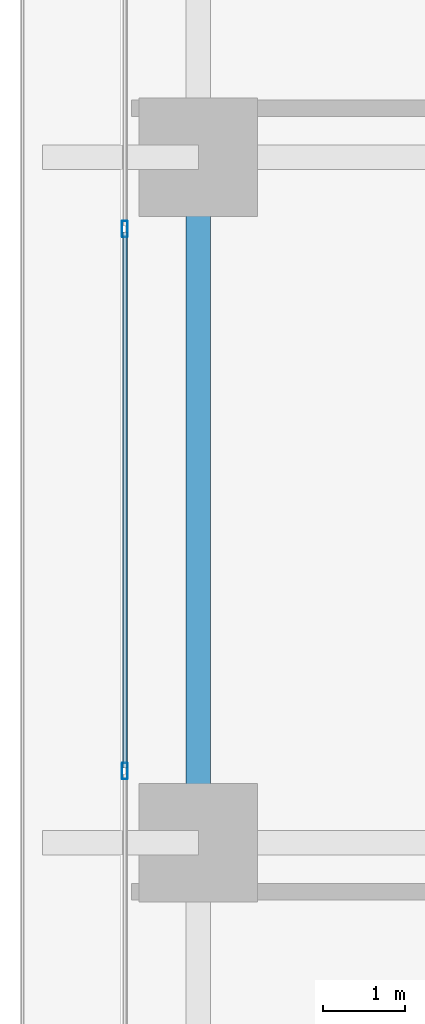
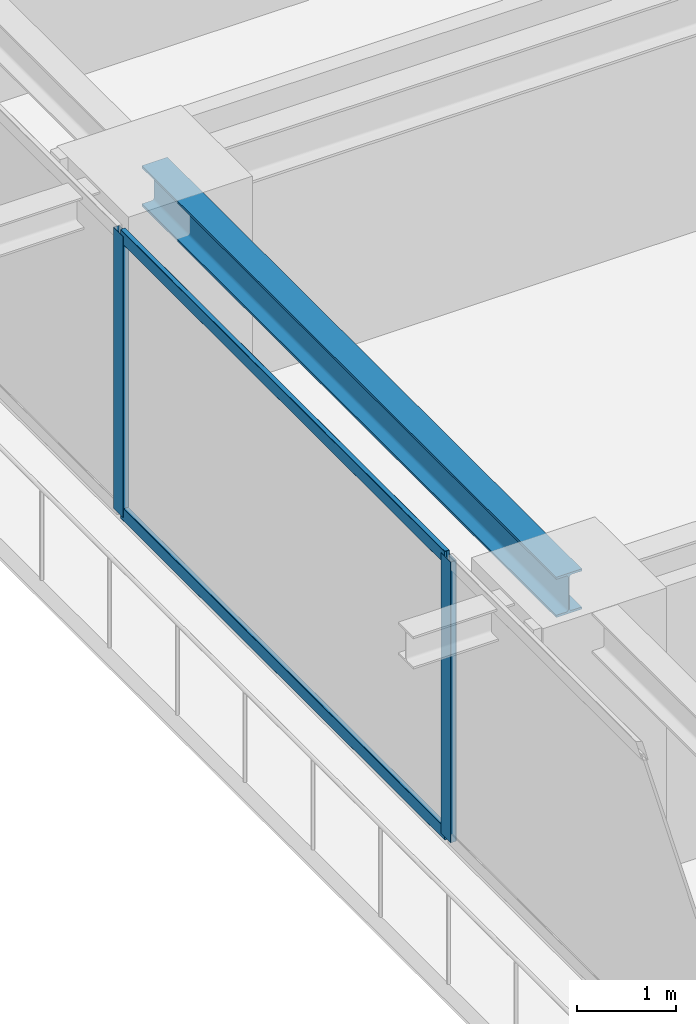
# One storey, part 9 of 39: 4 members, 1 beam, 1 element without a shape of its own.
"""IFC4 building model written with IfcOpenShell, lengths in metres."""

from ifc_helpers import new_model, si_unit, direction, frame, origin, origin_2d, place, context, subcontext, project, spatial, hollow_rectangle, i_section, extrude, source, transform, mapped, material, layer, layer_set, material_profile, profile_set, type_object, element, aggregate, save


model = new_model("IFC4")

# Units and contexts
model_context = context("Model", 3, precision=1e-05, world=origin(), true_north=direction((0.0, 1.0)))
body_context = subcontext(model_context, "Body", "Model", "MODEL_VIEW")
ifc_project = project(units=[si_unit("LENGTHUNIT", "METRE"), si_unit("AREAUNIT", "SQUARE_METRE"), si_unit("VOLUMEUNIT", "CUBIC_METRE"), si_unit("PLANEANGLEUNIT", "RADIAN"), si_unit("MASSUNIT", "GRAM", prefix="KILO")], contexts=[model_context])

# Site, building, storey
site_placement = place(None, origin())
site = spatial("IfcSite", under=ifc_project, at=site_placement, CompositionType="ELEMENT")
building_placement = place(site_placement, origin())
building = spatial("IfcBuilding", under=site, at=building_placement, Name="Serunith Strait Residences", CompositionType="ELEMENT")
storey_placement = place(building_placement, frame((0.0, 0.0, 79.199951171875)))
storey = spatial("IfcBuildingStorey", under=building, at=storey_placement, Name="L19", CompositionType="ELEMENT", Elevation=79.199951171875)

# Beam
ifc_material_1 = material(Name="Steel S355J2", Category="steel")
ifc_material_profile_1 = material_profile(ifc_material_1, i_section(OverallWidth=0.300048828125, OverallDepth=0.5, WebThickness=0.014404296875, FlangeThickness=0.028076171875, FilletRadius=0.027099609375, at=origin_2d()), Name="HEB 500")
ifc_profile_set_1 = profile_set([ifc_material_profile_1], Name="Steel S355J2")
beam_type = type_object("IfcBeamType", Name="BM-HEB500", PredefinedType="BEAM", material=ifc_profile_set_1)
shared_shape_1 = source(origin(), body_context, "Body", "SweptSolid", [
    extrude(i_section(OverallWidth=0.300048828125, OverallDepth=0.5, WebThickness=0.014404296875, FlangeThickness=0.028076171875, FilletRadius=0.027099609375, at=origin_2d()), origin(), (0.0, 0.0, 1.0), 8.39990234375),
])
beam_placement = place(storey_placement, frame((6.89990234375, 29.39990234375, 3.237060546875), z_axis=(0.0, -1.0, 0.0), x_axis=(1.0, 0.0, 0.0)))
element("IfcBeam", 1, at=beam_placement, inside=storey, type_object=beam_type, Name="L19 Perimeter Ring Beam 14", PredefinedType="BEAM", context=body_context, shape_type="MappedRepresentation", body=[
    mapped(shared_shape_1, transform((0.0, 0.0, 0.0), scale=1.0)),
])

# Curtain wall, members
ifc_material_2 = material(Name="Pale-Champagne Anodised Aluminium", Category="aluminium")
ifc_layer = layer(ifc_material_2, 0.199951171875, Name="Pale-Champagne Anodised Aluminium")
ifc_layer_set = layer_set([ifc_layer], Name="Pale-Champagne Anodised Aluminium")
curtain_wall_type = type_object("IfcCurtainWallType", Name="CW-SYS1", PredefinedType="NOTDEFINED", material=ifc_layer_set)
curtain_wall_placement = place(storey_placement, origin())
curtain_wall = element("IfcCurtainWall", 2, at=curtain_wall_placement, inside=storey, type_object=curtain_wall_type, Name="L19 W Unitised Fritted Curtain Wall", PredefinedType="NOTDEFINED")
ifc_material_profile_2 = material_profile(ifc_material_2, hollow_rectangle(XDim=0.070068359375, YDim=0.199951171875, WallThickness=0.00390625, InnerFilletRadius=0.006103515625, OuterFilletRadius=0.010009765625, at=origin_2d()), Name="ALU 200x70x4")
ifc_profile_set_2 = profile_set([ifc_material_profile_2], Name="Pale-Champagne Anodised Aluminium")
member_type_1 = type_object("IfcMemberType", Name="CW-SYS1-MULL", PredefinedType="MULLION", material=ifc_profile_set_2)
shared_shape_2 = source(origin(), body_context, "Body", "SweptSolid", [
    extrude(hollow_rectangle(XDim=0.070068359375, YDim=0.199951171875, WallThickness=0.00390625, InnerFilletRadius=0.006103515625, OuterFilletRadius=0.010009765625, at=origin_2d()), origin(), (0.0, 0.0, 1.0), 3.47509765625),
])
member_1_placement = place(storey_placement, frame((6.0, 28.52001953125, 0.0), z_axis=(0.0, 0.0, 1.0), x_axis=(1.0, 0.0, 0.0)))
member_1 = element("IfcMember", 3, at=member_1_placement, type_object=member_type_1, Name="CW-1 mullion 3", PredefinedType="MULLION", context=body_context, shape_type="MappedRepresentation", body=[
    mapped(shared_shape_2, transform((0.0, 0.0, 0.0), scale=1.0)),
])
member_2_placement = place(storey_placement, frame((6.0, 21.8798828125, 0.0), z_axis=(0.0, 0.0, 1.0), x_axis=(1.0, 0.0, 0.0)))
member_2 = element("IfcMember", 4, at=member_2_placement, type_object=member_type_1, Name="CW-1 mullion 4", PredefinedType="MULLION", context=body_context, shape_type="MappedRepresentation", body=[
    mapped(shared_shape_2, transform((0.0, 0.0, 0.0), scale=1.0)),
])
ifc_material_profile_3 = material_profile(ifc_material_2, hollow_rectangle(XDim=0.06005859375, YDim=0.159912109375, WallThickness=0.00341796875, InnerFilletRadius=0.00537109375, OuterFilletRadius=0.0087890625, at=origin_2d()), Name="ALU 160x60x3.5")
ifc_profile_set_3 = profile_set([ifc_material_profile_3], Name="Pale-Champagne Anodised Aluminium")
member_type_2 = type_object("IfcMemberType", Name="CW-SYS1-TRAN", PredefinedType="USERDEFINED", material=ifc_profile_set_3)
shared_shape_3 = source(origin(), body_context, "Body", "SweptSolid", [
    extrude(hollow_rectangle(XDim=0.06005859375, YDim=0.159912109375, WallThickness=0.00341796875, InnerFilletRadius=0.00537109375, OuterFilletRadius=0.0087890625, at=origin_2d()), origin(), (0.0, 0.0, 1.0), 6.570068359375),
])
member_3_placement = place(storey_placement, frame((6.0, 28.485107421875, 0.030029296875), z_axis=(0.0, -1.0, 0.0), x_axis=(1.0, 0.0, 0.0)))
member_3 = element("IfcMember", 5, at=member_3_placement, type_object=member_type_2, Name="CW-1 transom 3.1", ObjectType="TRANSOM", PredefinedType="USERDEFINED", context=body_context, shape_type="MappedRepresentation", body=[
    mapped(shared_shape_3, transform((0.0, 0.0, 0.0), scale=1.0)),
])
member_4_placement = place(storey_placement, frame((6.0, 28.485107421875, 3.445068359375), z_axis=(0.0, -1.0, 0.0), x_axis=(1.0, 0.0, 0.0)))
member_4 = element("IfcMember", 6, at=member_4_placement, type_object=member_type_2, Name="CW-1 transom 3.2", ObjectType="TRANSOM", PredefinedType="USERDEFINED", context=body_context, shape_type="MappedRepresentation", body=[
    mapped(shared_shape_3, transform((0.0, 0.0, 0.0), scale=1.0)),
])
aggregate(curtain_wall, [member_1, member_2, member_3, member_4])

save(model, "model.ifc")
